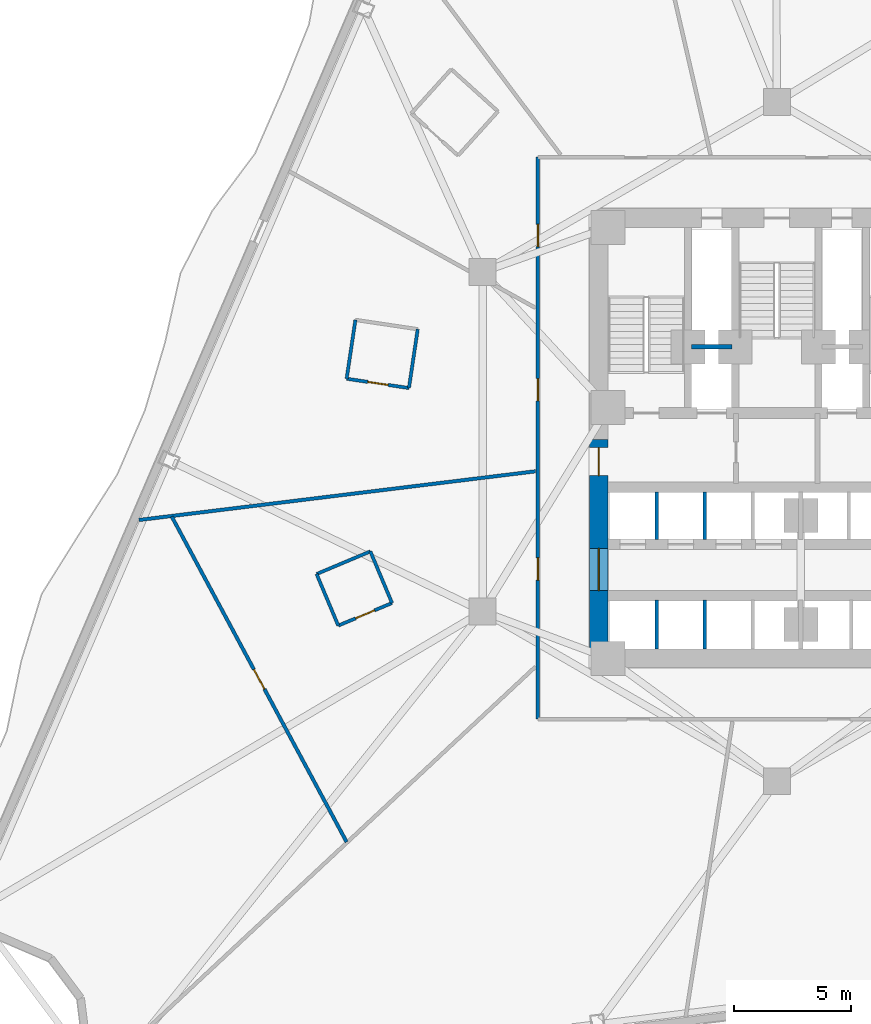
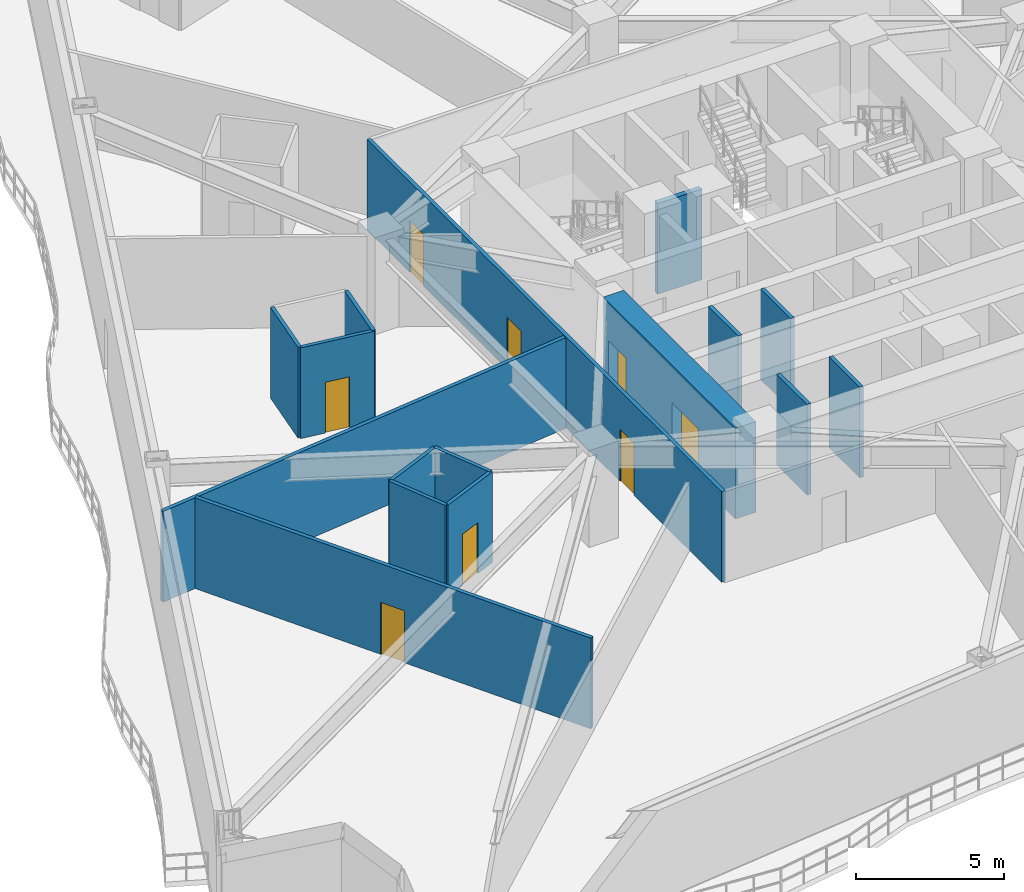
# One storey, part 3 of 12: 16 walls, 8 doors, 8 openings.
"""IFC4 building model written with IfcOpenShell, lengths in metres."""

from ifc_helpers import new_model, si_unit, direction, frame, frame_2d, origin, place, context, subcontext, project, spatial, rectangle, extrude, material, layer, layer_set, type_object, element, fill, save


model = new_model("IFC4")

# Units and contexts
model_context = context("Model", 3, precision=1e-05, world=origin(), true_north=direction((0.0, 1.0)))
body_context = subcontext(model_context, "Body", "Model", "MODEL_VIEW")
ifc_project = project(units=[si_unit("LENGTHUNIT", "METRE"), si_unit("AREAUNIT", "SQUARE_METRE"), si_unit("VOLUMEUNIT", "CUBIC_METRE"), si_unit("PLANEANGLEUNIT", "RADIAN"), si_unit("MASSUNIT", "GRAM", prefix="KILO")], contexts=[model_context])

# Site, building, storey
site_placement = place(None, origin())
site = spatial("IfcSite", under=ifc_project, at=site_placement, CompositionType="ELEMENT")
building_placement = place(site_placement, origin())
building = spatial("IfcBuilding", under=site, at=building_placement, Name="Apsidion Concourse Tower", CompositionType="ELEMENT")
storey_placement = place(building_placement, frame((0.0, 0.0, 83.0)))
storey = spatial("IfcBuildingStorey", under=building, at=storey_placement, Name="L18", CompositionType="ELEMENT", Elevation=83.0)

# Walls
ifc_material_1 = material(Name="Gypsum plasterboard partition")
ifc_layer_1 = layer(ifc_material_1, 0.139892578125)
ifc_layer_set_1 = layer_set([ifc_layer_1], Name="Gypsum plasterboard partition")
wall_type_1 = type_object("IfcWallType", Name="WL-INT-PAR-140", PredefinedType="PARTITIONING", material=ifc_layer_set_1)
wall_1_placement = place(storey_placement, frame((-17.35693359375, -4.68603515625, 0.0), z_axis=(0.0, 0.0, 1.0), x_axis=(-0.921836420351, -0.387579171415, 0.0)))
element("IfcWall", 1, at=wall_1_placement, inside=storey, type_object=wall_type_1, Name="L18 Interior Partition WL-L18-POD-HKAWC-S1", PredefinedType="PARTITIONING", context=body_context, shape_type="SweptSolid", body=[
    extrude(rectangle(XDim=2.489990234375, YDim=0.139892578125, at=frame_2d((1.2451171875, 0.0))), origin(), (0.0, 0.0, 1.0), 3.75),
])
wall_2_placement = place(storey_placement, frame((-19.65234375, -5.651123046875, 0.0), z_axis=(0.0, 0.0, 1.0), x_axis=(0.387486041569, -0.921875570557, 0.0)))
element("IfcWall", 2, at=wall_2_placement, inside=storey, type_object=wall_type_1, Name="L18 Interior Partition WL-L18-POD-HKAWC-S2", PredefinedType="PARTITIONING", context=body_context, shape_type="SweptSolid", body=[
    extrude(rectangle(XDim=2.389892578125, YDim=0.139892578125, at=frame_2d((1.19482421875, 0.0))), origin(), (0.0, 0.0, 1.0), 3.75),
])

# Wall, opening, door
wall_3_placement = place(storey_placement, frame((-18.726318359375, -7.854248046875, 0.0), z_axis=(0.0, 0.0, 1.0), x_axis=(0.921871448543, 0.387495848186, 0.0)))
wall_3 = element("IfcWall", 3, at=wall_3_placement, inside=storey, type_object=wall_type_1, Name="L18 Interior Partition WL-L18-POD-HKAWC-S3", PredefinedType="PARTITIONING", context=body_context, shape_type="SweptSolid", body=[
    extrude(rectangle(XDim=2.489990234375, YDim=0.139892578125, at=frame_2d((1.2451171875, 0.0))), origin(), (0.0, 0.0, 1.0), 3.75),
])
opening_1_placement = place(wall_3_placement, frame((0.804931640625, 0.0, 0.0)))
opening_1 = element("IfcOpeningElement", 4, at=opening_1_placement, cuts=wall_3, Name="Opening D-03L", PredefinedType="OPENING", context=body_context, shape_type="SweptSolid", body=[
    extrude(rectangle(XDim=0.8798828125, YDim=2.10009765625, at=frame_2d((0.43994140625, 1.050048828125))), frame((0.0, 0.080078125, 0.0), z_axis=(0.0, -1.0, 0.0), x_axis=(1.0, 0.0, 0.0)), (0.0, 0.0, 1.0), 0.159912109375),
])
ifc_material_2 = material(Name="Anodised aluminium EN AW-6063 T6", Category="aluminium")
door_type_1 = type_object("IfcDoorType", Name="DR-INT-D03L", OperationType="SINGLE_SWING_LEFT", PredefinedType="DOOR", material=ifc_material_2)
door_1_placement = place(opening_1_placement, origin())
door_1 = element("IfcDoor", 5, at=door_1_placement, inside=storey, type_object=door_type_1, Name="L18 Hotel Accessible WC Door HKAWC", OperationType="SINGLE_SWING_LEFT", OverallHeight=2.10009765625, OverallWidth=0.8798828125, PredefinedType="DOOR", context=body_context, shape_type="SweptSolid", body=[
    extrude(rectangle(XDim=0.8798828125, YDim=2.10009765625, at=frame_2d((0.43994140625, 1.050048828125))), frame((0.0, 0.02490234375, 0.0), z_axis=(0.0, -1.0, 0.0), x_axis=(1.0, 0.0, 0.0)), (0.0, 0.0, 1.0), 0.050048828125),
])
fill(opening_1, door_1)

# Walls
wall_4_placement = place(storey_placement, frame((-16.430908203125, -6.889404296875, 0.0), z_axis=(0.0, 0.0, 1.0), x_axis=(-0.387449552373, 0.921890906977, 0.0)))
element("IfcWall", 6, at=wall_4_placement, inside=storey, type_object=wall_type_1, Name="L18 Interior Partition WL-L18-POD-HKAWC-S4", PredefinedType="PARTITIONING", context=body_context, shape_type="SweptSolid", body=[
    extrude(rectangle(XDim=2.39013671875, YDim=0.139892578125, at=frame_2d((1.195068359375, 0.0))), origin(), (0.0, 0.0, 1.0), 3.75),
])
wall_5_placement = place(storey_placement, frame((-17.993896484375, 5.19970703125, 0.0), z_axis=(0.0, 0.0, 1.0), x_axis=(-0.147823437669, -0.98901376698, 0.0)))
element("IfcWall", 7, at=wall_5_placement, inside=storey, type_object=wall_type_1, Name="L18 Interior Partition WL-L18-POD-ENS09-S2", PredefinedType="PARTITIONING", context=body_context, shape_type="SweptSolid", body=[
    extrude(rectangle(XDim=2.5400390625, YDim=0.139892578125, at=frame_2d((1.27001953125, 0.0))), origin(), (0.0, 0.0, 1.0), 3.75),
])

# Wall, opening, door
wall_6_placement = place(storey_placement, frame((-18.369384765625, 2.6875, 0.0), z_axis=(0.0, 0.0, 1.0), x_axis=(0.989010125109, -0.147847801579, 0.0)))
wall_6 = element("IfcWall", 8, at=wall_6_placement, inside=storey, type_object=wall_type_1, Name="L18 Interior Partition WL-L18-POD-ENS09-S3", PredefinedType="PARTITIONING", context=body_context, shape_type="SweptSolid", body=[
    extrude(rectangle(XDim=2.68994140625, YDim=0.139892578125, at=frame_2d((1.344970703125, 0.0))), origin(), (0.0, 0.0, 1.0), 3.75),
])
opening_2_placement = place(wall_6_placement, frame((0.905029296875, 0.0, 0.0)))
opening_2 = element("IfcOpeningElement", 9, at=opening_2_placement, cuts=wall_6, Name="Opening D-03R", PredefinedType="OPENING", context=body_context, shape_type="SweptSolid", body=[
    extrude(rectangle(XDim=0.8798828125, YDim=2.10009765625, at=frame_2d((0.43994140625, 1.050048828125))), frame((0.0, 0.080078125, 0.0), z_axis=(0.0, -1.0, 0.0), x_axis=(1.0, 0.0, 0.0)), (0.0, 0.0, 1.0), 0.159912109375),
])
door_type_2 = type_object("IfcDoorType", Name="DR-INT-D03R", OperationType="SINGLE_SWING_RIGHT", PredefinedType="DOOR", material=ifc_material_2)
door_2_placement = place(opening_2_placement, origin())
door_2 = element("IfcDoor", 10, at=door_2_placement, inside=storey, type_object=door_type_2, Name="L18 Guest En-Suite Bathroom Door ENS09", OperationType="SINGLE_SWING_RIGHT", OverallHeight=2.10009765625, OverallWidth=0.8798828125, PredefinedType="DOOR", context=body_context, shape_type="SweptSolid", body=[
    extrude(rectangle(XDim=0.8798828125, YDim=2.10009765625, at=frame_2d((0.43994140625, 1.050048828125))), frame((0.0, 0.02490234375, 0.0), z_axis=(0.0, -1.0, 0.0), x_axis=(1.0, 0.0, 0.0)), (0.0, 0.0, 1.0), 0.050048828125),
])
fill(opening_2, door_2)

# Walls
wall_7_placement = place(storey_placement, frame((-15.708984375, 2.289794921875, 0.0), z_axis=(0.0, 0.0, 1.0), x_axis=(0.147823437669, 0.98901376698, 0.0)))
element("IfcWall", 11, at=wall_7_placement, inside=storey, type_object=wall_type_1, Name="L18 Interior Partition WL-L18-POD-ENS09-S4", PredefinedType="PARTITIONING", context=body_context, shape_type="SweptSolid", body=[
    extrude(rectangle(XDim=2.5400390625, YDim=0.139892578125, at=frame_2d((1.27001953125, 0.0))), origin(), (0.0, 0.0, 1.0), 3.75),
])
ifc_layer_2 = layer(ifc_material_1, 0.14990234375)
ifc_layer_set_2 = layer_set([ifc_layer_2], Name="Gypsum plasterboard partition")
wall_type_2 = type_object("IfcWallType", Name="WL-INT-PAR-150", PredefinedType="PARTITIONING", material=ifc_layer_set_2)
for number, where, z_axis, x_axis, name in (
    (12, (-5.125, -4.179931640625, 0.0), (0.0, 0.0, 1.0), (0.0, 1.0, 0.0), "L18 Interior Partition WL-L18-B1DIV-1"),
    (13, (-3.074951171875, -4.179931640625, 0.0), (0.0, 0.0, 1.0), (0.0, 1.0, 0.0), "L18 Interior Partition WL-L18-B1DIV-2"),
):
    element("IfcWall", number, at=place(storey_placement, frame(where, z_axis=z_axis, x_axis=x_axis)), inside=storey, type_object=wall_type_2, Name=name, PredefinedType="PARTITIONING", context=body_context, shape_type="SweptSolid", body=[
        extrude(rectangle(XDim=2.030029296875, YDim=0.14990234375, at=frame_2d((1.01513671875, 0.0))), origin(), (0.0, 0.0, 1.0), 3.75),
    ])
for number, where, z_axis, x_axis, name in (
    (14, (-5.125, -8.85009765625, 0.0), (0.0, 0.0, 1.0), (0.0, 1.0, 0.0), "L18 Interior Partition WL-L18-B2DIV-1"),
    (15, (-3.074951171875, -8.85009765625, 0.0), (0.0, 0.0, 1.0), (0.0, 1.0, 0.0), "L18 Interior Partition WL-L18-B2DIV-2"),
):
    element("IfcWall", number, at=place(storey_placement, frame(where, z_axis=z_axis, x_axis=x_axis)), inside=storey, type_object=wall_type_2, Name=name, PredefinedType="PARTITIONING", context=body_context, shape_type="SweptSolid", body=[
        extrude(rectangle(XDim=2.080078125, YDim=0.14990234375, at=frame_2d((1.0400390625, 0.0))), origin(), (0.0, 0.0, 1.0), 3.75),
    ])

# Wall, openings, doors
wall_8_placement = place(storey_placement, frame((-10.199951171875, -11.85009765625, 0.0), z_axis=(0.0, 0.0, 1.0), x_axis=(0.0, 1.0, 0.0)))
wall_8 = element("IfcWall", 16, at=wall_8_placement, inside=storey, type_object=wall_type_2, Name="L18 Interior Partition WL-L18-CORR-04", PredefinedType="PARTITIONING", context=body_context, shape_type="SweptSolid", body=[
    extrude(rectangle(XDim=24.0, YDim=0.14990234375, at=frame_2d((12.0, 0.0))), origin(), (0.0, 0.0, 1.0), 3.75),
])
opening_3_placement = place(wall_8_placement, frame((5.935302734375, 0.0, 0.0)))
opening_3 = element("IfcOpeningElement", 17, at=opening_3_placement, cuts=wall_8, Name="Opening D-01L", PredefinedType="OPENING", context=body_context, shape_type="SweptSolid", body=[
    extrude(rectangle(XDim=0.949951171875, YDim=2.14990234375, at=frame_2d((0.47509765625, 1.074951171875))), frame((0.0, 0.0849609375, 0.0), z_axis=(0.0, -1.0, 0.0), x_axis=(1.0, 0.0, 0.0)), (0.0, 0.0, 1.0), 0.169921875),
])
opening_4_placement = place(wall_8_placement, frame((20.177001953125, 0.0, 0.0)))
opening_4 = element("IfcOpeningElement", 18, at=opening_4_placement, cuts=wall_8, Name="Opening D-01L", PredefinedType="OPENING", context=body_context, shape_type="SweptSolid", body=[
    extrude(rectangle(XDim=0.949951171875, YDim=2.14990234375, at=frame_2d((0.47509765625, 1.074951171875))), frame((0.0, 0.0849609375, 0.0), z_axis=(0.0, -1.0, 0.0), x_axis=(1.0, 0.0, 0.0)), (0.0, 0.0, 1.0), 0.169921875),
])
opening_5_placement = place(wall_8_placement, frame((13.59375, 0.0, 0.0)))
opening_5 = element("IfcOpeningElement", 19, at=opening_5_placement, cuts=wall_8, Name="Opening D-01R", PredefinedType="OPENING", context=body_context, shape_type="SweptSolid", body=[
    extrude(rectangle(XDim=0.949951171875, YDim=2.14990234375, at=frame_2d((0.47509765625, 1.074951171875))), frame((0.0, 0.0849609375, 0.0), z_axis=(0.0, -1.0, 0.0), x_axis=(1.0, 0.0, 0.0)), (0.0, 0.0, 1.0), 0.169921875),
])
ifc_material_3 = material(Name="Brushed stainless steel 316", Category="steel")
door_type_3 = type_object("IfcDoorType", Name="DR-INT-D01L", OperationType="SINGLE_SWING_LEFT", PredefinedType="DOOR", material=ifc_material_3)
door_3_placement = place(opening_3_placement, origin())
door_3 = element("IfcDoor", 20, at=door_3_placement, inside=storey, type_object=door_type_3, Name="L18 Corridor Entry Door 01", OperationType="SINGLE_SWING_LEFT", OverallHeight=2.14990234375, OverallWidth=0.949951171875, PredefinedType="DOOR", context=body_context, shape_type="SweptSolid", body=[
    extrude(rectangle(XDim=0.949951171875, YDim=2.14990234375, at=frame_2d((0.47509765625, 1.074951171875))), frame((0.0, 0.02490234375, 0.0), z_axis=(0.0, -1.0, 0.0), x_axis=(1.0, 0.0, 0.0)), (0.0, 0.0, 1.0), 0.050048828125),
])
fill(opening_3, door_3)
door_4_placement = place(opening_4_placement, origin())
door_4 = element("IfcDoor", 21, at=door_4_placement, inside=storey, type_object=door_type_3, Name="L18 Corridor Entry Door 09", OperationType="SINGLE_SWING_LEFT", OverallHeight=2.14990234375, OverallWidth=0.949951171875, PredefinedType="DOOR", context=body_context, shape_type="SweptSolid", body=[
    extrude(rectangle(XDim=0.949951171875, YDim=2.14990234375, at=frame_2d((0.47509765625, 1.074951171875))), frame((0.0, 0.02490234375, 0.0), z_axis=(0.0, -1.0, 0.0), x_axis=(1.0, 0.0, 0.0)), (0.0, 0.0, 1.0), 0.050048828125),
])
fill(opening_4, door_4)
door_type_4 = type_object("IfcDoorType", Name="DR-INT-D01R", OperationType="SINGLE_SWING_RIGHT", PredefinedType="DOOR", material=ifc_material_3)
door_5_placement = place(opening_5_placement, origin())
door_5 = element("IfcDoor", 22, at=door_5_placement, inside=storey, type_object=door_type_4, Name="L18 Corridor Entry Door 10", OperationType="SINGLE_SWING_RIGHT", OverallHeight=2.14990234375, OverallWidth=0.949951171875, PredefinedType="DOOR", context=body_context, shape_type="SweptSolid", body=[
    extrude(rectangle(XDim=0.949951171875, YDim=2.14990234375, at=frame_2d((0.47509765625, 1.074951171875))), frame((0.0, 0.02490234375, 0.0), z_axis=(0.0, -1.0, 0.0), x_axis=(1.0, 0.0, 0.0)), (0.0, 0.0, 1.0), 0.050048828125),
])
fill(opening_5, door_5)

# Wall
wall_9_placement = place(storey_placement, frame((-10.304931640625, -1.265380859375, 0.0), z_axis=(0.0, 0.0, 1.0), x_axis=(-0.992546036283, -0.121870282921, 0.0)))
element("IfcWall", 23, at=wall_9_placement, inside=storey, type_object=wall_type_2, Name="L18 Interior Partition WL-L18-RAD-06-1", PredefinedType="PARTITIONING", context=body_context, shape_type="SweptSolid", body=[
    extrude(rectangle(XDim=17.06396484375, YDim=0.14990234375, at=frame_2d((8.531982421875, 0.0))), origin(), (0.0, 0.0, 1.0), 3.75),
])

# Wall, opening, door
wall_10_placement = place(storey_placement, frame((-25.837646484375, -3.19775390625, 0.0), z_axis=(0.0, 0.0, 1.0), x_axis=(0.473387285953, -0.880854401986, 0.0)))
wall_10 = element("IfcWall", 24, at=wall_10_placement, inside=storey, type_object=wall_type_2, Name="L18 Interior Partition WL-L18-CHD-HKWC", PredefinedType="PARTITIONING", context=body_context, shape_type="SweptSolid", body=[
    extrude(rectangle(XDim=15.77734375, YDim=0.14990234375, at=frame_2d((7.888671875, 0.0))), origin(), (0.0, 0.0, 1.0), 3.75),
])
opening_6_placement = place(wall_10_placement, frame((7.41357421875, 0.0, 0.0)))
opening_6 = element("IfcOpeningElement", 25, at=opening_6_placement, cuts=wall_10, Name="Opening D-04R", PredefinedType="OPENING", context=body_context, shape_type="SweptSolid", body=[
    extrude(rectangle(XDim=0.949951171875, YDim=2.14990234375, at=frame_2d((0.47509765625, 1.074951171875))), frame((0.0, 0.0849609375, 0.0), z_axis=(0.0, -1.0, 0.0), x_axis=(1.0, 0.0, 0.0)), (0.0, 0.0, 1.0), 0.169921875),
])
door_type_5 = type_object("IfcDoorType", Name="DR-INT-D04R", OperationType="SINGLE_SWING_RIGHT", PredefinedType="DOOR", material=ifc_material_3)
door_6_placement = place(opening_6_placement, origin())
door_6 = element("IfcDoor", 26, at=door_6_placement, inside=storey, type_object=door_type_5, Name="L18 Suite Connecting Door HKWC", OperationType="SINGLE_SWING_RIGHT", OverallHeight=2.14990234375, OverallWidth=0.949951171875, PredefinedType="DOOR", context=body_context, shape_type="SweptSolid", body=[
    extrude(rectangle(XDim=0.949951171875, YDim=2.14990234375, at=frame_2d((0.47509765625, 1.074951171875))), frame((0.0, 0.02490234375, 0.0), z_axis=(0.0, -1.0, 0.0), x_axis=(1.0, 0.0, 0.0)), (0.0, 0.0, 1.0), 0.050048828125),
])
fill(opening_6, door_6)

# Wall
ifc_layer_3 = layer(ifc_material_1, 0.199951171875)
ifc_layer_set_3 = layer_set([ifc_layer_3], Name="Gypsum plasterboard partition")
wall_type_3 = type_object("IfcWallType", Name="WL-INT-PAR-200", PredefinedType="PARTITIONING", material=ifc_layer_set_3)
wall_11_placement = place(storey_placement, frame((-3.64990234375, 4.050048828125, 0.0), z_axis=(0.0, 0.0, 1.0), x_axis=(1.0, 0.0, 0.0)))
element("IfcWall", 27, at=wall_11_placement, inside=storey, type_object=wall_type_3, Name="L18 Interior Partition WL-L18-FF1-N", PredefinedType="PARTITIONING", context=body_context, shape_type="SweptSolid", body=[
    extrude(rectangle(XDim=1.72998046875, YDim=0.199951171875, at=frame_2d((0.864990234375, 0.0))), origin(), (0.0, 0.0, 1.0), 3.75),
])

# Wall, openings, doors
ifc_material_4 = material(Name="Concrete C60/75", Category="concrete")
ifc_layer_4 = layer(ifc_material_4, 0.800048828125)
ifc_layer_set_4 = layer_set([ifc_layer_4], Name="Concrete C60/75")
wall_type_4 = type_object("IfcWallType", Name="WL-SH-800", PredefinedType="SHEAR", material=ifc_layer_set_4)
wall_12_placement = place(storey_placement, frame((-7.60009765625, -8.85009765625, 0.0), z_axis=(0.0, 0.0, 1.0), x_axis=(0.0, 1.0, 0.0)))
wall_12 = element("IfcWall", 28, at=wall_12_placement, inside=storey, type_object=wall_type_4, Name="L18 Central Core Shear Wall WS", PredefinedType="SHEAR", context=body_context, shape_type="SweptSolid", body=[
    extrude(rectangle(XDim=8.9501953125, YDim=0.800048828125, at=frame_2d((4.47509765625, 0.0))), origin(), (0.0, 0.0, 1.0), 3.75),
])
opening_7_placement = place(wall_12_placement, frame((2.489990234375, 0.0, 0.0)))
opening_7 = element("IfcOpeningElement", 29, at=opening_7_placement, cuts=wall_12, Name="Opening D-06D", PredefinedType="OPENING", context=body_context, shape_type="SweptSolid", body=[
    extrude(rectangle(XDim=1.800048828125, YDim=2.199951171875, at=frame_2d((0.89990234375, 1.10009765625))), frame((0.0, 0.41015625, 0.0), z_axis=(0.0, -1.0, 0.0), x_axis=(1.0, 0.0, 0.0)), (0.0, 0.0, 1.0), 0.820068359375),
])
opening_8_placement = place(wall_12_placement, frame((7.39990234375, 0.0, 0.0)))
opening_8 = element("IfcOpeningElement", 30, at=opening_8_placement, cuts=wall_12, Name="Opening D-FFL", PredefinedType="OPENING", context=body_context, shape_type="SweptSolid", body=[
    extrude(rectangle(XDim=1.199951171875, YDim=2.14990234375, at=frame_2d((0.60009765625, 1.074951171875))), frame((0.0, 0.41015625, 0.0), z_axis=(0.0, -1.0, 0.0), x_axis=(1.0, 0.0, 0.0)), (0.0, 0.0, 1.0), 0.820068359375),
])
door_type_6 = type_object("IfcDoorType", Name="DR-INT-D06D", OperationType="DOUBLE_DOOR_SINGLE_SWING", PredefinedType="DOOR", material=ifc_material_3)
door_7_placement = place(opening_7_placement, origin())
door_7 = element("IfcDoor", 31, at=door_7_placement, inside=storey, type_object=door_type_6, Name="L18 Passenger Lift Lobby WS Portal Door", OperationType="DOUBLE_DOOR_SINGLE_SWING", OverallHeight=2.199951171875, OverallWidth=1.800048828125, PredefinedType="DOOR", context=body_context, shape_type="SweptSolid", body=[
    extrude(rectangle(XDim=1.800048828125, YDim=2.199951171875, at=frame_2d((0.89990234375, 1.10009765625))), frame((0.0, 0.02490234375, 0.0), z_axis=(0.0, -1.0, 0.0), x_axis=(1.0, 0.0, 0.0)), (0.0, 0.0, 1.0), 0.050048828125),
])
fill(opening_7, door_7)
door_type_7 = type_object("IfcDoorType", Name="DR-INT-FFL", OperationType="SINGLE_SWING_LEFT", PredefinedType="DOOR", material=ifc_material_3)
door_8_placement = place(opening_8_placement, origin())
door_8 = element("IfcDoor", 32, at=door_8_placement, inside=storey, type_object=door_type_7, Name="L18 Firefighting Lift Lobby FF1 Door", OperationType="SINGLE_SWING_LEFT", OverallHeight=2.14990234375, OverallWidth=1.199951171875, PredefinedType="DOOR", context=body_context, shape_type="SweptSolid", body=[
    extrude(rectangle(XDim=1.199951171875, YDim=2.14990234375, at=frame_2d((0.60009765625, 1.074951171875))), frame((0.0, 0.02490234375, 0.0), z_axis=(0.0, -1.0, 0.0), x_axis=(1.0, 0.0, 0.0)), (0.0, 0.0, 1.0), 0.050048828125),
])
fill(opening_8, door_8)

save(model, "model.ifc")
